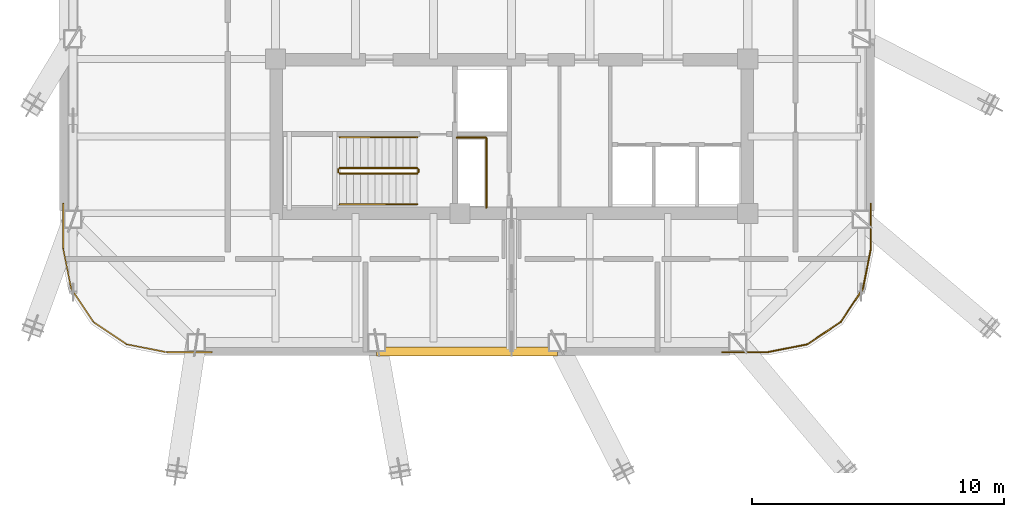
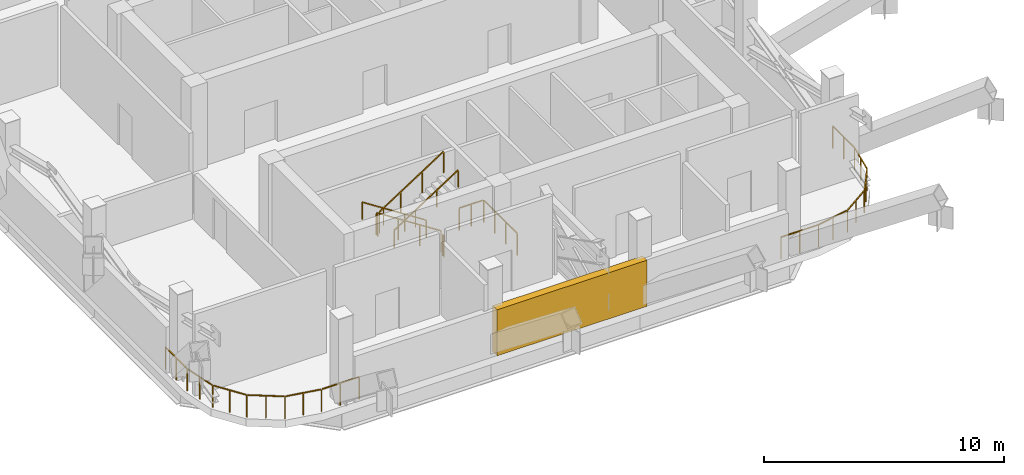
# One storey, part 7 of 9: 10 railings, 1 shading device.
"""IFC4 building model written with IfcOpenShell, lengths in metres."""

from ifc_helpers import new_model, si_unit, direction, frame, origin, origin_2d, place, context, subcontext, project, spatial, rectangle, extrude, material, type_object, element, save


model = new_model("IFC4")

# Units and contexts
model_context = context("Model", 3, precision=1e-05, world=origin(), true_north=direction((0.0, 1.0)))
body_context = subcontext(model_context, "Body", "Model", "MODEL_VIEW")
ifc_project = project(units=[si_unit("LENGTHUNIT", "METRE"), si_unit("AREAUNIT", "SQUARE_METRE"), si_unit("VOLUMEUNIT", "CUBIC_METRE"), si_unit("PLANEANGLEUNIT", "RADIAN"), si_unit("MASSUNIT", "GRAM", prefix="KILO")], contexts=[model_context])

# Site, building, storey
site_placement = place(None, origin())
site = spatial("IfcSite", under=ifc_project, at=site_placement, CompositionType="ELEMENT")
building_placement = place(site_placement, origin())
building = spatial("IfcBuilding", under=site, at=building_placement, Name="Qhalaya Broadcast Tower", CompositionType="ELEMENT")
storey_placement = place(building_placement, frame((0.0, 0.0, 195.14990234375)))
storey = spatial("IfcBuildingStorey", under=building, at=storey_placement, Name="L57", CompositionType="ELEMENT", Elevation=195.14990234375)

# Shading device
ifc_material_1 = material(Name="Fired Architectural Terracotta", Category="masonry")
shading_device_type = type_object("IfcShadingDeviceType", Name="Plant & Turbine-Slot Acoustic Louvre Screen LVS-01", PredefinedType="USERDEFINED", material=ifc_material_1)
shading_device_placement = place(storey_placement, frame((-1.77001953125, -14.239990234375, 0.0), z_axis=(0.0, 0.0, 1.0), x_axis=(-1.0, 0.0, 0.0)))
element("IfcShadingDevice", 1, at=shading_device_placement, inside=storey, type_object=shading_device_type, Name="L57 Plant Acoustic Louvre Screen S", ObjectType="LOUVRE", PredefinedType="USERDEFINED", context=body_context, shape_type="SweptSolid", body=[
    extrude(rectangle(XDim=7.199951171875, YDim=0.360107421875, at=origin_2d()), origin(), (0.0, 0.0, 1.0), 2.340087890625),
])

# Railings
ifc_material_2 = material(Name="Powder-Coated Galvanised Steel", Category="steel")
railing_type_1 = type_object("IfcRailingType", Name="Stair Wall Handrail 900", PredefinedType="HANDRAIL", material=ifc_material_2)
railing_1_placement = place(storey_placement, frame((-3.75, -5.72998046875, 0.181396484375)))
element("IfcRailing", 2, at=railing_1_placement, inside=storey, type_object=railing_type_1, Name="L57 ST-2 Stair Handrail 1", PredefinedType="HANDRAIL", context=body_context, shape_type="SweptSolid", body=[
    extrude(rectangle(XDim=0.048095703125, YDim=0.048095703125, at=origin_2d()), frame((0.0, 0.0, 0.8759765625), z_axis=(-0.839488025565, 0.0, 0.543378187759), x_axis=(0.0, -1.0, 0.0)), (0.0, 0.0, 1.0), 3.6689453125),
    extrude(rectangle(XDim=0.0419921875, YDim=0.0419921875, at=origin_2d()), origin(), (0.0, 0.0, 1.0), 0.849853515625),
    extrude(rectangle(XDim=0.0419921875, YDim=0.0419921875, at=origin_2d()), frame((-1.026611328125, 0.0, 0.66455078125)), (0.0, 0.0, 1.0), 0.849853515625),
    extrude(rectangle(XDim=0.0419921875, YDim=0.0419921875, at=origin_2d()), frame((-2.053466796875, 0.0, 1.3291015625)), (0.0, 0.0, 1.0), 0.849853515625),
    extrude(rectangle(XDim=0.0419921875, YDim=0.0419921875, at=origin_2d()), frame((-3.080078125, 0.0, 1.99365234375)), (0.0, 0.0, 1.0), 0.849853515625),
])
railing_2_placement = place(storey_placement, frame((-6.830078125, -8.389892578125, 2.3564453125)))
element("IfcRailing", 3, at=railing_2_placement, inside=storey, type_object=railing_type_1, Name="L57 ST-2 Stair Handrail 2", PredefinedType="HANDRAIL", context=body_context, shape_type="SweptSolid", body=[
    extrude(rectangle(XDim=0.048095703125, YDim=0.048095703125, at=origin_2d()), frame((0.0, 0.0, 0.8759765625), z_axis=(0.839488025565, 0.0, 0.543378187759), x_axis=(0.0, 1.0, 0.0)), (0.0, 0.0, 1.0), 3.6689453125),
    extrude(rectangle(XDim=0.0419921875, YDim=0.0419921875, at=origin_2d()), origin(), (0.0, 0.0, 1.0), 0.849853515625),
    extrude(rectangle(XDim=0.0419921875, YDim=0.0419921875, at=origin_2d()), frame((1.026611328125, 0.0, 0.66455078125)), (0.0, 0.0, 1.0), 0.849853515625),
    extrude(rectangle(XDim=0.0419921875, YDim=0.0419921875, at=origin_2d()), frame((2.053466796875, 0.0, 1.3291015625)), (0.0, 0.0, 1.0), 0.849853515625),
    extrude(rectangle(XDim=0.0419921875, YDim=0.0419921875, at=origin_2d()), frame((3.080078125, 0.0, 1.99365234375)), (0.0, 0.0, 1.0), 0.849853515625),
])
railing_type_2 = type_object("IfcRailingType", Name="Stair Well & Landing Guardrail 1100", PredefinedType="GUARDRAIL", material=ifc_material_2)
railing_3_placement = place(storey_placement, frame((-1.0, -8.52001953125, 0.0)))
element("IfcRailing", 4, at=railing_3_placement, inside=storey, type_object=railing_type_2, Name="L57 Service Riser Opening Safety Guard SRSR", PredefinedType="GUARDRAIL", context=body_context, shape_type="SweptSolid", body=[
    extrude(rectangle(XDim=0.048095703125, YDim=0.048095703125, at=origin_2d()), frame((0.0, 0.0, 1.1259765625), z_axis=(0.0, 1.0, 0.0), x_axis=(-1.0, 0.0, 0.0)), (0.0, 0.0, 1.0), 2.751220703125),
    extrude(rectangle(XDim=0.048095703125, YDim=0.048095703125, at=origin_2d()), frame((-0.02880859375, 2.780029296875, 1.1259765625), z_axis=(-1.0, 0.0, 0.0), x_axis=(0.0, -1.0, 0.0)), (0.0, 0.0, 1.0), 1.151123046875),
    extrude(rectangle(XDim=0.0419921875, YDim=0.0419921875, at=origin_2d()), origin(), (0.0, 0.0, 1.0), 1.099853515625),
    extrude(rectangle(XDim=0.0419921875, YDim=0.0419921875, at=origin_2d()), frame((0.0, 0.9267578125, 0.0)), (0.0, 0.0, 1.0), 1.099853515625),
    extrude(rectangle(XDim=0.0419921875, YDim=0.0419921875, at=origin_2d()), frame((0.0, 1.853271484375, 0.0)), (0.0, 0.0, 1.0), 1.099853515625),
    extrude(rectangle(XDim=0.0419921875, YDim=0.0419921875, at=origin_2d()), frame((0.0, 2.780029296875, 0.0)), (0.0, 0.0, 1.0), 1.099853515625),
    extrude(rectangle(XDim=0.0419921875, YDim=0.0419921875, at=origin_2d()), frame((-0.58984375, 2.780029296875, 0.0)), (0.0, 0.0, 1.0), 1.099853515625),
    extrude(rectangle(XDim=0.0419921875, YDim=0.0419921875, at=origin_2d()), frame((-1.179931640625, 2.780029296875, 0.0)), (0.0, 0.0, 1.0), 1.099853515625),
])
railing_4_placement = place(storey_placement, frame((-3.75, -6.949951171875, 0.181396484375)))
element("IfcRailing", 5, at=railing_4_placement, inside=storey, type_object=railing_type_2, Name="L57 ST-2 Stair Guard 1", PredefinedType="GUARDRAIL", context=body_context, shape_type="SweptSolid", body=[
    extrude(rectangle(XDim=0.048095703125, YDim=0.048095703125, at=origin_2d()), frame((0.0, 0.0, 1.076171875), z_axis=(-0.839488025565, 0.0, 0.543378187759), x_axis=(0.0, -1.0, 0.0)), (0.0, 0.0, 1.0), 3.6689453125),
    extrude(rectangle(XDim=0.0419921875, YDim=0.0419921875, at=origin_2d()), origin(), (0.0, 0.0, 1.0), 1.050048828125),
    extrude(rectangle(XDim=0.0419921875, YDim=0.0419921875, at=origin_2d()), frame((-1.026611328125, 0.0, 0.66455078125)), (0.0, 0.0, 1.0), 1.050048828125),
    extrude(rectangle(XDim=0.0419921875, YDim=0.0419921875, at=origin_2d()), frame((-2.053466796875, 0.0, 1.3291015625)), (0.0, 0.0, 1.0), 1.050048828125),
    extrude(rectangle(XDim=0.0419921875, YDim=0.0419921875, at=origin_2d()), frame((-3.080078125, 0.0, 1.99365234375)), (0.0, 0.0, 1.0), 1.050048828125),
])
railing_5_placement = place(storey_placement, frame((-6.8798828125, -7.0, 2.175048828125)))
element("IfcRailing", 6, at=railing_5_placement, inside=storey, type_object=railing_type_2, Name="L57 ST-2 Stair Guard 2", PredefinedType="GUARDRAIL", context=body_context, shape_type="SweptSolid", body=[
    extrude(rectangle(XDim=0.048095703125, YDim=0.048095703125, at=origin_2d()), frame((0.0, 0.0, 1.076171875), z_axis=(0.0, -1.0, 0.0), x_axis=(1.0, 0.0, 0.0)), (0.0, 0.0, 1.0), 0.1201171875),
    extrude(rectangle(XDim=0.0419921875, YDim=0.0419921875, at=origin_2d()), origin(), (0.0, 0.0, 1.0), 1.050048828125),
    extrude(rectangle(XDim=0.0419921875, YDim=0.0419921875, at=origin_2d()), frame((0.0, -0.1201171875, 0.0)), (0.0, 0.0, 1.0), 1.050048828125),
])
railing_6_placement = place(storey_placement, frame((-6.830078125, -7.169921875, 2.3564453125)))
element("IfcRailing", 7, at=railing_6_placement, inside=storey, type_object=railing_type_2, Name="L57 ST-2 Stair Guard 3", PredefinedType="GUARDRAIL", context=body_context, shape_type="SweptSolid", body=[
    extrude(rectangle(XDim=0.048095703125, YDim=0.048095703125, at=origin_2d()), frame((0.0, 0.0, 1.076171875), z_axis=(0.839488025565, 0.0, 0.543378187759), x_axis=(0.0, 1.0, 0.0)), (0.0, 0.0, 1.0), 3.6689453125),
    extrude(rectangle(XDim=0.0419921875, YDim=0.0419921875, at=origin_2d()), origin(), (0.0, 0.0, 1.0), 1.050048828125),
    extrude(rectangle(XDim=0.0419921875, YDim=0.0419921875, at=origin_2d()), frame((1.026611328125, 0.0, 0.66455078125)), (0.0, 0.0, 1.0), 1.050048828125),
    extrude(rectangle(XDim=0.0419921875, YDim=0.0419921875, at=origin_2d()), frame((2.053466796875, 0.0, 1.3291015625)), (0.0, 0.0, 1.0), 1.050048828125),
    extrude(rectangle(XDim=0.0419921875, YDim=0.0419921875, at=origin_2d()), frame((3.080078125, 0.0, 1.99365234375)), (0.0, 0.0, 1.0), 1.050048828125),
])
railing_7_placement = place(storey_placement, frame((-3.699951171875, -7.0, 0.0)))
element("IfcRailing", 8, at=railing_7_placement, inside=storey, type_object=railing_type_2, Name="L57 ST-2 Stair Guard 4", PredefinedType="GUARDRAIL", context=body_context, shape_type="SweptSolid", body=[
    extrude(rectangle(XDim=0.048095703125, YDim=0.048095703125, at=origin_2d()), frame((0.0, 0.0, 1.076171875), z_axis=(0.0, -1.0, 0.0), x_axis=(1.0, 0.0, 0.0)), (0.0, 0.0, 1.0), 0.1201171875),
    extrude(rectangle(XDim=0.0419921875, YDim=0.0419921875, at=origin_2d()), origin(), (0.0, 0.0, 1.0), 1.050048828125),
    extrude(rectangle(XDim=0.0419921875, YDim=0.0419921875, at=origin_2d()), frame((0.0, -0.1201171875, 0.0)), (0.0, 0.0, 1.0), 1.050048828125),
])
railing_type_3 = type_object("IfcRailingType", Name="Terrace, Sky-Pool & Lookout Glass Balustrade 1150", PredefinedType="BALUSTRADE", material=ifc_material_2)
railing_8_placement = place(storey_placement, frame((10.168212890625, -14.260009765625, 0.0)))
element("IfcRailing", 9, at=railing_8_placement, inside=storey, type_object=railing_type_3, Name="L57 Rounded Corner Perimeter Guard 01", PredefinedType="BALUSTRADE", context=body_context, shape_type="SweptSolid", body=[
    extrude(rectangle(XDim=0.048095703125, YDim=0.048095703125, at=origin_2d()), frame((0.0, 0.0, 1.1259765625), z_axis=(-1.0, 0.0, 0.0), x_axis=(0.0, -1.0, 0.0)), (0.0, 0.0, 1.0), 1.80615234375),
    extrude(rectangle(XDim=0.0419921875, YDim=0.0419921875, at=origin_2d()), origin(), (0.0, 0.0, 1.0), 1.099853515625),
    extrude(rectangle(XDim=0.0419921875, YDim=0.0419921875, at=origin_2d()), frame((-0.903076171875, 0.0, 0.0)), (0.0, 0.0, 1.0), 1.099853515625),
    extrude(rectangle(XDim=0.0419921875, YDim=0.0419921875, at=origin_2d()), frame((-1.80615234375, 0.0, 0.0)), (0.0, 0.0, 1.0), 1.099853515625),
])
railing_9_placement = place(storey_placement, frame((-11.902099609375, -14.260009765625, 0.0)))
element("IfcRailing", 10, at=railing_9_placement, inside=storey, type_object=railing_type_3, Name="L57 Rounded Corner Perimeter Guard 02", PredefinedType="BALUSTRADE", context=body_context, shape_type="SweptSolid", body=[
    extrude(rectangle(XDim=0.048095703125, YDim=0.048095703125, at=origin_2d()), frame((0.0, 0.0, 1.1259765625), z_axis=(-1.0, 0.0, 0.0), x_axis=(0.0, -1.0, 0.0)), (0.0, 0.0, 1.0), 1.77734375),
    extrude(rectangle(XDim=0.048095703125, YDim=0.048095703125, at=origin_2d()), frame((-1.83447265625, 0.005615234375, 1.1259765625), z_axis=(-0.980785153523, 0.195090959886, 0.0), x_axis=(-0.195090959886, -0.980785153523, 0.0)), (0.0, 0.0, 1.0), 1.54541015625),
    extrude(rectangle(XDim=0.048095703125, YDim=0.048095703125, at=origin_2d()), frame((-3.40234375, 0.328857421875, 1.1259765625), z_axis=(-0.83141232178, 0.555655964777, 0.0), x_axis=(-0.555655964777, -0.83141232178, 0.0)), (0.0, 0.0, 1.0), 1.533203125),
    extrude(rectangle(XDim=0.048095703125, YDim=0.048095703125, at=origin_2d()), frame((-4.71728515625, 1.220703125, 1.1259765625), z_axis=(-0.555655964777, 0.83141232178, 0.0), x_axis=(-0.83141232178, -0.555655964777, 0.0)), (0.0, 0.0, 1.0), 1.533203125),
    extrude(rectangle(XDim=0.048095703125, YDim=0.048095703125, at=origin_2d()), frame((-5.5908203125, 2.5478515625, 1.1259765625), z_axis=(-0.195090959886, 0.980785153523, 0.0), x_axis=(-0.980785153523, -0.195090959886, 0.0)), (0.0, 0.0, 1.0), 1.54541015625),
    extrude(rectangle(XDim=0.048095703125, YDim=0.048095703125, at=origin_2d()), frame((-5.89794921875, 4.12060546875, 1.1259765625), z_axis=(0.0, 1.0, 0.0), x_axis=(-1.0, 0.0, 0.0)), (0.0, 0.0, 1.0), 1.77734375),
    extrude(rectangle(XDim=0.0419921875, YDim=0.0419921875, at=origin_2d()), origin(), (0.0, 0.0, 1.0), 1.099853515625),
    extrude(rectangle(XDim=0.0419921875, YDim=0.0419921875, at=origin_2d()), frame((-0.903076171875, 0.0, 0.0)), (0.0, 0.0, 1.0), 1.099853515625),
    extrude(rectangle(XDim=0.0419921875, YDim=0.0419921875, at=origin_2d()), frame((-1.80615234375, 0.0, 0.0)), (0.0, 0.0, 1.0), 1.099853515625),
    extrude(rectangle(XDim=0.0419921875, YDim=0.0419921875, at=origin_2d()), frame((-2.59228515625, 0.15625, 0.0)), (0.0, 0.0, 1.0), 1.099853515625),
    extrude(rectangle(XDim=0.0419921875, YDim=0.0419921875, at=origin_2d()), frame((-3.37841796875, 0.312744140625, 0.0)), (0.0, 0.0, 1.0), 1.099853515625),
    extrude(rectangle(XDim=0.0419921875, YDim=0.0419921875, at=origin_2d()), frame((-4.039794921875, 0.7548828125, 0.0)), (0.0, 0.0, 1.0), 1.099853515625),
    extrude(rectangle(XDim=0.0419921875, YDim=0.0419921875, at=origin_2d()), frame((-4.701171875, 1.19677734375, 0.0)), (0.0, 0.0, 1.0), 1.099853515625),
    extrude(rectangle(XDim=0.0419921875, YDim=0.0419921875, at=origin_2d()), frame((-5.14306640625, 1.858154296875, 0.0)), (0.0, 0.0, 1.0), 1.099853515625),
    extrude(rectangle(XDim=0.0419921875, YDim=0.0419921875, at=origin_2d()), frame((-5.585205078125, 2.51953125, 0.0)), (0.0, 0.0, 1.0), 1.099853515625),
    extrude(rectangle(XDim=0.0419921875, YDim=0.0419921875, at=origin_2d()), frame((-5.74169921875, 3.3056640625, 0.0)), (0.0, 0.0, 1.0), 1.099853515625),
    extrude(rectangle(XDim=0.0419921875, YDim=0.0419921875, at=origin_2d()), frame((-5.89794921875, 4.091796875, 0.0)), (0.0, 0.0, 1.0), 1.099853515625),
    extrude(rectangle(XDim=0.0419921875, YDim=0.0419921875, at=origin_2d()), frame((-5.89794921875, 4.994873046875, 0.0)), (0.0, 0.0, 1.0), 1.099853515625),
    extrude(rectangle(XDim=0.0419921875, YDim=0.0419921875, at=origin_2d()), frame((-5.89794921875, 5.89794921875, 0.0)), (0.0, 0.0, 1.0), 1.099853515625),
])
railing_10_placement = place(storey_placement, frame((14.260009765625, -8.362060546875, 0.0)))
element("IfcRailing", 11, at=railing_10_placement, inside=storey, type_object=railing_type_3, Name="L57 Rounded Corner Perimeter Guard 05", PredefinedType="BALUSTRADE", context=body_context, shape_type="SweptSolid", body=[
    extrude(rectangle(XDim=0.048095703125, YDim=0.048095703125, at=origin_2d()), frame((0.0, 0.0, 1.1259765625), z_axis=(0.0, -1.0, 0.0), x_axis=(1.0, 0.0, 0.0)), (0.0, 0.0, 1.0), 1.77734375),
    extrude(rectangle(XDim=0.048095703125, YDim=0.048095703125, at=origin_2d()), frame((-0.005615234375, -1.83447265625, 1.1259765625), z_axis=(-0.195090959886, -0.980785153523, 0.0), x_axis=(0.980785153523, -0.195090959886, 0.0)), (0.0, 0.0, 1.0), 1.54541015625),
    extrude(rectangle(XDim=0.048095703125, YDim=0.048095703125, at=origin_2d()), frame((-0.328857421875, -3.40234375, 1.1259765625), z_axis=(-0.555655964777, -0.83141232178, 0.0), x_axis=(0.83141232178, -0.555655964777, 0.0)), (0.0, 0.0, 1.0), 1.533203125),
    extrude(rectangle(XDim=0.048095703125, YDim=0.048095703125, at=origin_2d()), frame((-1.220703125, -4.71728515625, 1.1259765625), z_axis=(-0.83141232178, -0.555655964777, 0.0), x_axis=(0.555655964777, -0.83141232178, 0.0)), (0.0, 0.0, 1.0), 1.533203125),
    extrude(rectangle(XDim=0.048095703125, YDim=0.048095703125, at=origin_2d()), frame((-2.5478515625, -5.5908203125, 1.1259765625), z_axis=(-0.980785153523, -0.195090959886, 0.0), x_axis=(0.195090959886, -0.980785153523, 0.0)), (0.0, 0.0, 1.0), 1.57421875),
    extrude(rectangle(XDim=0.0419921875, YDim=0.0419921875, at=origin_2d()), origin(), (0.0, 0.0, 1.0), 1.099853515625),
    extrude(rectangle(XDim=0.0419921875, YDim=0.0419921875, at=origin_2d()), frame((0.0, -0.903076171875, 0.0)), (0.0, 0.0, 1.0), 1.099853515625),
    extrude(rectangle(XDim=0.0419921875, YDim=0.0419921875, at=origin_2d()), frame((0.0, -1.80615234375, 0.0)), (0.0, 0.0, 1.0), 1.099853515625),
    extrude(rectangle(XDim=0.0419921875, YDim=0.0419921875, at=origin_2d()), frame((-0.15625, -2.59228515625, 0.0)), (0.0, 0.0, 1.0), 1.099853515625),
    extrude(rectangle(XDim=0.0419921875, YDim=0.0419921875, at=origin_2d()), frame((-0.312744140625, -3.37841796875, 0.0)), (0.0, 0.0, 1.0), 1.099853515625),
    extrude(rectangle(XDim=0.0419921875, YDim=0.0419921875, at=origin_2d()), frame((-0.7548828125, -4.039794921875, 0.0)), (0.0, 0.0, 1.0), 1.099853515625),
    extrude(rectangle(XDim=0.0419921875, YDim=0.0419921875, at=origin_2d()), frame((-1.19677734375, -4.701171875, 0.0)), (0.0, 0.0, 1.0), 1.099853515625),
    extrude(rectangle(XDim=0.0419921875, YDim=0.0419921875, at=origin_2d()), frame((-1.858154296875, -5.14306640625, 0.0)), (0.0, 0.0, 1.0), 1.099853515625),
    extrude(rectangle(XDim=0.0419921875, YDim=0.0419921875, at=origin_2d()), frame((-2.51953125, -5.585205078125, 0.0)), (0.0, 0.0, 1.0), 1.099853515625),
    extrude(rectangle(XDim=0.0419921875, YDim=0.0419921875, at=origin_2d()), frame((-3.3056640625, -5.74169921875, 0.0)), (0.0, 0.0, 1.0), 1.099853515625),
    extrude(rectangle(XDim=0.0419921875, YDim=0.0419921875, at=origin_2d()), frame((-4.091796875, -5.89794921875, 0.0)), (0.0, 0.0, 1.0), 1.099853515625),
])

save(model, "model.ifc")
